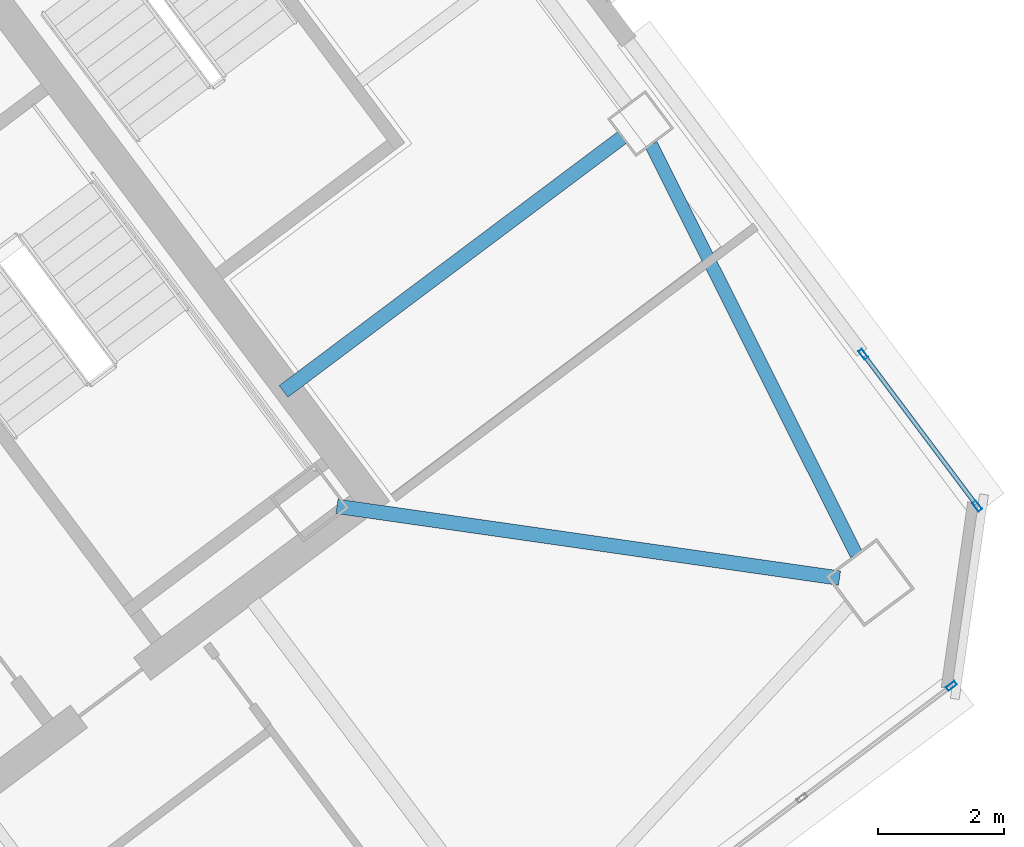
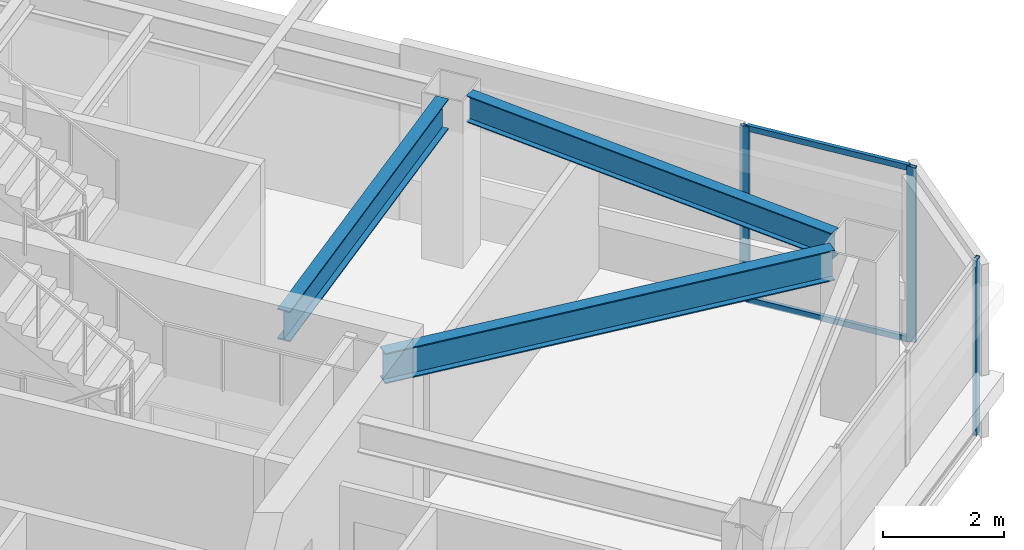
# One storey, part 23 of 39: 5 members, 3 beams, 2 elements without a shape of their own.
"""IFC4 building model written with IfcOpenShell, lengths in metres."""

from ifc_helpers import new_model, si_unit, direction, frame, origin, origin_2d, place, context, subcontext, project, spatial, hollow_rectangle, i_section, extrude, material, material_profile, profile_set, type_object, element, aggregate, save


model = new_model("IFC4")

# Units and contexts
model_context = context("Model", 3, precision=1e-05, world=origin(), true_north=direction((0.0, 1.0)))
body_context = subcontext(model_context, "Body", "Model", "MODEL_VIEW")
ifc_project = project(units=[si_unit("LENGTHUNIT", "METRE"), si_unit("AREAUNIT", "SQUARE_METRE"), si_unit("VOLUMEUNIT", "CUBIC_METRE"), si_unit("PLANEANGLEUNIT", "RADIAN"), si_unit("MASSUNIT", "GRAM", prefix="KILO")], contexts=[model_context])

# Site, building, storey
site_placement = place(None, origin())
site = spatial("IfcSite", under=ifc_project, at=site_placement, CompositionType="ELEMENT")
building_placement = place(site_placement, origin())
building = spatial("IfcBuilding", under=site, at=building_placement, Name="Tashvorn Skyway Center", CompositionType="ELEMENT")
storey_placement = place(building_placement, frame((0.0, 0.0, 214.85009765625)))
storey = spatial("IfcBuildingStorey", under=building, at=storey_placement, Name="L58", CompositionType="ELEMENT", Elevation=214.85009765625)

# Beams
ifc_material_1 = material(Name="Steel ASTM A992 Grade 50", Category="steel")
ifc_material_profile_1 = material_profile(ifc_material_1, i_section(OverallWidth=0.22998046875, OverallDepth=0.616943359375, WebThickness=0.01318359375, FlangeThickness=0.022216796875, at=origin_2d()), Name="W24X94")
ifc_profile_set_1 = profile_set([ifc_material_profile_1], Name="Steel ASTM A992 Grade 50")
beam_type_1 = type_object("IfcBeamType", Name="BM-BEAM-W24X94", PredefinedType="BEAM", material=ifc_profile_set_1)
beam_1_placement = place(storey_placement, frame((132.27001953125, 29.389892578125, 3.0615234375), z_axis=(-0.989947064346, 0.141438360399, 0.0), x_axis=(-0.141438360399, -0.989947064346, 0.0)))
element("IfcBeam", 1, at=beam_1_placement, inside=storey, type_object=beam_type_1, Name="Tower 2 L58 Primary Floor Girder MC-SE", PredefinedType="BEAM", context=body_context, shape_type="SweptSolid", body=[
    extrude(i_section(OverallWidth=0.22998046875, OverallDepth=0.616943359375, WebThickness=0.01318359375, FlangeThickness=0.022216796875, at=origin_2d()), origin(), (0.0, 0.0, 1.0), 8.040283203125),
])
beam_2_placement = place(storey_placement, frame((128.823974609375, 36.367919921875, 3.0615234375), z_axis=(-0.799991254452, -0.600011660554, 0.0), x_axis=(0.600011660554, -0.799991254452, 0.0)))
element("IfcBeam", 2, at=beam_2_placement, inside=storey, type_object=beam_type_1, Name="Tower 2 L58 Primary Floor Girder FC-E1", PredefinedType="BEAM", context=body_context, shape_type="SweptSolid", body=[
    extrude(i_section(OverallWidth=0.22998046875, OverallDepth=0.616943359375, WebThickness=0.01318359375, FlangeThickness=0.022216796875, at=origin_2d()), origin(), (0.0, 0.0, 1.0), 6.699951171875),
])
ifc_material_profile_2 = material_profile(ifc_material_1, i_section(OverallWidth=0.2109375, OverallDepth=0.5390625, WebThickness=0.01171875, FlangeThickness=0.018798828125, at=origin_2d()), Name="W21X73")
ifc_profile_set_2 = profile_set([ifc_material_profile_2], Name="Steel ASTM A992 Grade 50")
beam_type_2 = type_object("IfcBeamType", Name="BM-SPANDREL-W21X73", PredefinedType="SPANDREL", material=ifc_profile_set_2)
beam_3_placement = place(storey_placement, frame((132.538330078125, 29.7626953125, 3.100341796875), z_axis=(-0.447710870872, 0.894178380472, 0.0), x_axis=(-0.894178380472, -0.447710870872, 0.0)))
element("IfcBeam", 3, at=beam_3_placement, inside=storey, type_object=beam_type_2, Name="Tower 2 L58 Spandrel Beam 04", PredefinedType="SPANDREL", context=body_context, shape_type="SweptSolid", body=[
    extrude(i_section(OverallWidth=0.2109375, OverallDepth=0.5390625, WebThickness=0.01171875, FlangeThickness=0.018798828125, at=origin_2d()), origin(), (0.0, 0.0, 1.0), 7.26513671875),
])

# Curtain wall, member
ifc_material_2 = material(Name="Thermally broken bronze-anodized aluminium 6063-T6", Category="aluminium")
curtain_wall_type = type_object("IfcCurtainWallType", Name="CW-CW-Z5", PredefinedType="NOTDEFINED", material=ifc_material_2)
curtain_wall_1_placement = place(storey_placement, origin())
curtain_wall_1 = element("IfcCurtainWall", 4, at=curtain_wall_1_placement, inside=storey, type_object=curtain_wall_type, Name="Tower 2 L58 South Unitised Curtain Wall Glazing Group 1", PredefinedType="NOTDEFINED")
ifc_material_profile_3 = material_profile(ifc_material_2, hollow_rectangle(XDim=0.070068359375, YDim=0.1650390625, WallThickness=0.00390625, at=origin_2d()), Name="ALU-MULL-70x165")
ifc_profile_set_3 = profile_set([ifc_material_profile_3], Name="Thermally broken bronze-anodized aluminium 6063-T6")
member_type_1 = type_object("IfcMemberType", Name="CWM-CW-Z5", PredefinedType="MULLION", material=ifc_profile_set_3)
member_1_placement = place(storey_placement, frame((134.0439453125, 27.68310546875, 0.0), z_axis=(0.0, 0.0, 1.0), x_axis=(0.600002670604, -0.79999799704, 0.0)))
member_1 = element("IfcMember", 5, at=member_1_placement, type_object=member_type_1, Name="CW-Z5 mullion 1", PredefinedType="MULLION", context=body_context, shape_type="SweptSolid", body=[
    extrude(hollow_rectangle(XDim=0.070068359375, YDim=0.1650390625, WallThickness=0.00390625, at=origin_2d()), origin(), (0.0, 0.0, 1.0), 3.5498046875),
])
aggregate(curtain_wall_1, [member_1])

# Curtain wall, members
curtain_wall_2_placement = place(storey_placement, origin())
curtain_wall_2 = element("IfcCurtainWall", 6, at=curtain_wall_2_placement, inside=storey, type_object=curtain_wall_type, Name="Tower 2 L58 East Curtain Wall R Glazing Group 1", PredefinedType="NOTDEFINED")
member_2_placement = place(storey_placement, frame((132.64697265625, 32.937255859375, 0.0), z_axis=(0.0, 0.0, 1.0), x_axis=(0.799996099621, 0.60000520047, 0.0)))
member_2 = element("IfcMember", 7, at=member_2_placement, type_object=member_type_1, Name="CW-Z5 mullion 1", PredefinedType="MULLION", context=body_context, shape_type="SweptSolid", body=[
    extrude(hollow_rectangle(XDim=0.070068359375, YDim=0.1650390625, WallThickness=0.00390625, at=origin_2d()), origin(), (0.0, 0.0, 1.0), 3.5498046875),
])
member_3_placement = place(storey_placement, frame((134.450927734375, 30.531982421875, 0.0), z_axis=(0.0, 0.0, 1.0), x_axis=(0.799996099621, 0.60000520047, 0.0)))
member_3 = element("IfcMember", 8, at=member_3_placement, type_object=member_type_1, Name="CW-Z5 mullion 2", PredefinedType="MULLION", context=body_context, shape_type="SweptSolid", body=[
    extrude(hollow_rectangle(XDim=0.070068359375, YDim=0.1650390625, WallThickness=0.00390625, at=origin_2d()), origin(), (0.0, 0.0, 1.0), 3.5498046875),
])
ifc_material_profile_4 = material_profile(ifc_material_2, hollow_rectangle(XDim=0.070068359375, YDim=0.114990234375, WallThickness=0.00390625, at=origin_2d()), Name="ALU-TRAN-70x115")
ifc_profile_set_4 = profile_set([ifc_material_profile_4], Name="Thermally broken bronze-anodized aluminium 6063-T6")
member_type_2 = type_object("IfcMemberType", Name="CWT-CW-Z5", PredefinedType="USERDEFINED", material=ifc_profile_set_4)
member_4_placement = place(storey_placement, frame((132.66796875, 32.9091796875, 0.034912109375), z_axis=(0.6000266047, -0.799980045784, 0.0), x_axis=(0.799980045784, 0.6000266047, 0.0)))
member_4 = element("IfcMember", 9, at=member_4_placement, type_object=member_type_2, Name="CW-Z5 transom 1.1", ObjectType="TRANSOM", PredefinedType="USERDEFINED", context=body_context, shape_type="SweptSolid", body=[
    extrude(hollow_rectangle(XDim=0.070068359375, YDim=0.114990234375, WallThickness=0.00390625, at=origin_2d()), origin(), (0.0, 0.0, 1.0), 2.9365234375),
])
member_5_placement = place(storey_placement, frame((132.66796875, 32.9091796875, 3.514892578125), z_axis=(0.6000266047, -0.799980045784, 0.0), x_axis=(0.799980045784, 0.6000266047, 0.0)))
member_5 = element("IfcMember", 10, at=member_5_placement, type_object=member_type_2, Name="CW-Z5 transom 1.2", ObjectType="TRANSOM", PredefinedType="USERDEFINED", context=body_context, shape_type="SweptSolid", body=[
    extrude(hollow_rectangle(XDim=0.070068359375, YDim=0.114990234375, WallThickness=0.00390625, at=origin_2d()), origin(), (0.0, 0.0, 1.0), 2.9365234375),
])
aggregate(curtain_wall_2, [member_2, member_3, member_4, member_5])

save(model, "model.ifc")
